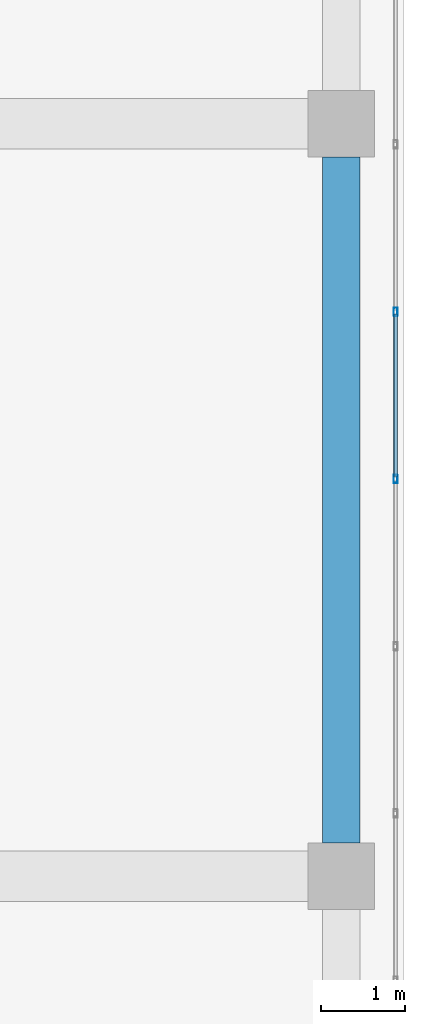
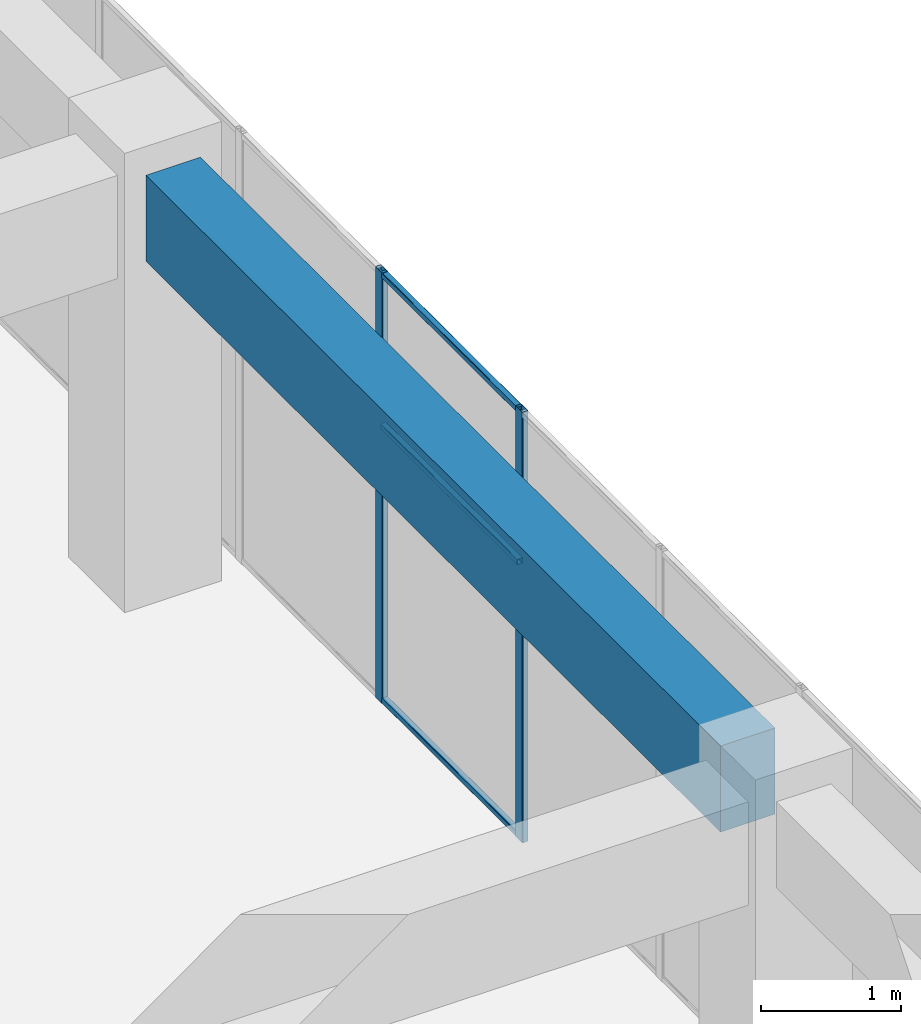
# One storey, part 43 of 65: 5 members, 1 beam, 1 element without a shape of its own.
"""IFC4 building model written with IfcOpenShell, lengths in metres."""

from ifc_helpers import new_model, si_unit, direction, frame, origin, origin_2d, place, context, subcontext, project, spatial, rectangle, hollow_rectangle, extrude, material, layer, layer_set, material_profile, profile_set, type_object, element, aggregate, save


model = new_model("IFC4")

# Units and contexts
model_context = context("Model", 3, precision=1e-05, world=origin(), true_north=direction((0.0, 1.0)))
body_context = subcontext(model_context, "Body", "Model", "MODEL_VIEW")
ifc_project = project(units=[si_unit("LENGTHUNIT", "METRE"), si_unit("AREAUNIT", "SQUARE_METRE"), si_unit("VOLUMEUNIT", "CUBIC_METRE"), si_unit("PLANEANGLEUNIT", "RADIAN"), si_unit("MASSUNIT", "GRAM", prefix="KILO")], contexts=[model_context])

# Site, building, storey
site_placement = place(None, origin())
site = spatial("IfcSite", under=ifc_project, at=site_placement, CompositionType="ELEMENT")
building_placement = place(site_placement, origin())
building = spatial("IfcBuilding", under=site, at=building_placement, Name="Tuart Plaza Theatre", CompositionType="ELEMENT")
storey_placement = place(building_placement, frame((0.0, 0.0, 9.5)))
storey = spatial("IfcBuildingStorey", under=building, at=storey_placement, Name="L02", CompositionType="ELEMENT", Elevation=9.5)

# Beam
ifc_material_1 = material(Name="Concrete N40 (40 MPa)", Category="concrete")
ifc_material_profile_1 = material_profile(ifc_material_1, rectangle(XDim=0.449951171875, YDim=0.75, at=origin_2d()), Name="BEAM 450x750 Concrete N40 (40 MPa)")
ifc_profile_set_1 = profile_set([ifc_material_profile_1], Name="Concrete N40 (40 MPa)")
beam_type = type_object("IfcBeamType", Name="BEAM 450x750 Concrete N40 (40 MPa)", PredefinedType="BEAM", material=ifc_profile_set_1)
beam_placement = place(storey_placement, frame((150.0, 74.39990234375, 3.375), z_axis=(0.0, 1.0, 0.0), x_axis=(-1.0, 0.0, 0.0)))
element("IfcBeam", 1, at=beam_placement, inside=storey, type_object=beam_type, Name="RB200", PredefinedType="BEAM", context=body_context, shape_type="SweptSolid", body=[
    extrude(rectangle(XDim=0.449951171875, YDim=0.75, at=origin_2d()), origin(), (0.0, 0.0, 1.0), 8.2001953125),
])

# Curtain wall, members
ifc_material_2 = material(Name="Aluminium and glass", Category="aluminium")
ifc_layer = layer(ifc_material_2, 0.10009765625)
ifc_layer_set = layer_set([ifc_layer], Name="CURTAIN WALL 2000 module")
curtain_wall_type = type_object("IfcCurtainWallType", Name="CURTAIN WALL 2000 module", PredefinedType="NOTDEFINED", material=ifc_layer_set)
curtain_wall_placement = place(storey_placement, origin())
curtain_wall = element("IfcCurtainWall", 2, at=curtain_wall_placement, inside=storey, type_object=curtain_wall_type, Name="CW69", PredefinedType="NOTDEFINED")
ifc_material_3 = material(Name="Aluminium 6063-T5", Category="aluminium")
ifc_material_profile_2 = material_profile(ifc_material_3, hollow_rectangle(XDim=0.050048828125, YDim=0.10009765625, WallThickness=0.00390625, InnerFilletRadius=0.00390625, OuterFilletRadius=0.008056640625, at=origin_2d()), Name="RHS 100x50x4")
ifc_profile_set_2 = profile_set([ifc_material_profile_2], Name="Aluminium 6063-T5")
member_type_1 = type_object("IfcMemberType", Name="MULLION RHS 100x50x4", PredefinedType="MULLION", material=ifc_profile_set_2)
member_1_placement = place(storey_placement, frame((150.64990234375, 78.75, 0.0), z_axis=(0.0, 0.0, 1.0), x_axis=(-1.0, 0.0, 0.0)))
member_1 = element("IfcMember", 3, at=member_1_placement, type_object=member_type_1, Name="CW69 mullion 15", PredefinedType="MULLION", context=body_context, shape_type="SweptSolid", body=[
    extrude(hollow_rectangle(XDim=0.050048828125, YDim=0.10009765625, WallThickness=0.00390625, InnerFilletRadius=0.00390625, OuterFilletRadius=0.008056640625, at=origin_2d()), origin(), (0.0, 0.0, 1.0), 3.75),
])
member_2_placement = place(storey_placement, frame((150.64990234375, 80.75, 0.0), z_axis=(0.0, 0.0, 1.0), x_axis=(-1.0, 0.0, 0.0)))
member_2 = element("IfcMember", 4, at=member_2_placement, type_object=member_type_1, Name="CW69 mullion 16", PredefinedType="MULLION", context=body_context, shape_type="SweptSolid", body=[
    extrude(hollow_rectangle(XDim=0.050048828125, YDim=0.10009765625, WallThickness=0.00390625, InnerFilletRadius=0.00390625, OuterFilletRadius=0.008056640625, at=origin_2d()), origin(), (0.0, 0.0, 1.0), 3.75),
])
ifc_material_4 = material(Name="Aluminium 6063-T5", Category="aluminium")
ifc_material_profile_3 = material_profile(ifc_material_4, hollow_rectangle(XDim=0.050048828125, YDim=0.050048828125, WallThickness=0.00390625, InnerFilletRadius=0.00390625, OuterFilletRadius=0.008056640625, at=origin_2d()), Name="RHS 50x50x4")
ifc_profile_set_3 = profile_set([ifc_material_profile_3], Name="Aluminium 6063-T5")
member_type_2 = type_object("IfcMemberType", Name="TRANSOM RHS 50x50x4", PredefinedType="USERDEFINED", material=ifc_profile_set_3)
member_3_placement = place(storey_placement, frame((150.64990234375, 78.77490234375, 0.02490234375), z_axis=(0.0, 1.0, 0.0), x_axis=(-1.0, 0.0, 0.0)))
member_3 = element("IfcMember", 5, at=member_3_placement, type_object=member_type_2, Name="CW69 transom 15.1", ObjectType="TRANSOM", PredefinedType="USERDEFINED", context=body_context, shape_type="SweptSolid", body=[
    extrude(hollow_rectangle(XDim=0.050048828125, YDim=0.050048828125, WallThickness=0.00390625, InnerFilletRadius=0.00390625, OuterFilletRadius=0.008056640625, at=origin_2d()), origin(), (0.0, 0.0, 1.0), 1.9501953125),
])
member_4_placement = place(storey_placement, frame((150.64990234375, 78.77490234375, 2.39990234375), z_axis=(0.0, 1.0, 0.0), x_axis=(-1.0, 0.0, 0.0)))
member_4 = element("IfcMember", 6, at=member_4_placement, type_object=member_type_2, Name="CW69 transom 15.2", ObjectType="TRANSOM", PredefinedType="USERDEFINED", context=body_context, shape_type="SweptSolid", body=[
    extrude(hollow_rectangle(XDim=0.050048828125, YDim=0.050048828125, WallThickness=0.00390625, InnerFilletRadius=0.00390625, OuterFilletRadius=0.008056640625, at=origin_2d()), origin(), (0.0, 0.0, 1.0), 1.9501953125),
])
member_5_placement = place(storey_placement, frame((150.64990234375, 78.77490234375, 3.72509765625), z_axis=(0.0, 1.0, 0.0), x_axis=(-1.0, 0.0, 0.0)))
member_5 = element("IfcMember", 7, at=member_5_placement, type_object=member_type_2, Name="CW69 transom 15.3", ObjectType="TRANSOM", PredefinedType="USERDEFINED", context=body_context, shape_type="SweptSolid", body=[
    extrude(hollow_rectangle(XDim=0.050048828125, YDim=0.050048828125, WallThickness=0.00390625, InnerFilletRadius=0.00390625, OuterFilletRadius=0.008056640625, at=origin_2d()), origin(), (0.0, 0.0, 1.0), 1.9501953125),
])
aggregate(curtain_wall, [member_1, member_2, member_3, member_4, member_5])

save(model, "model.ifc")
